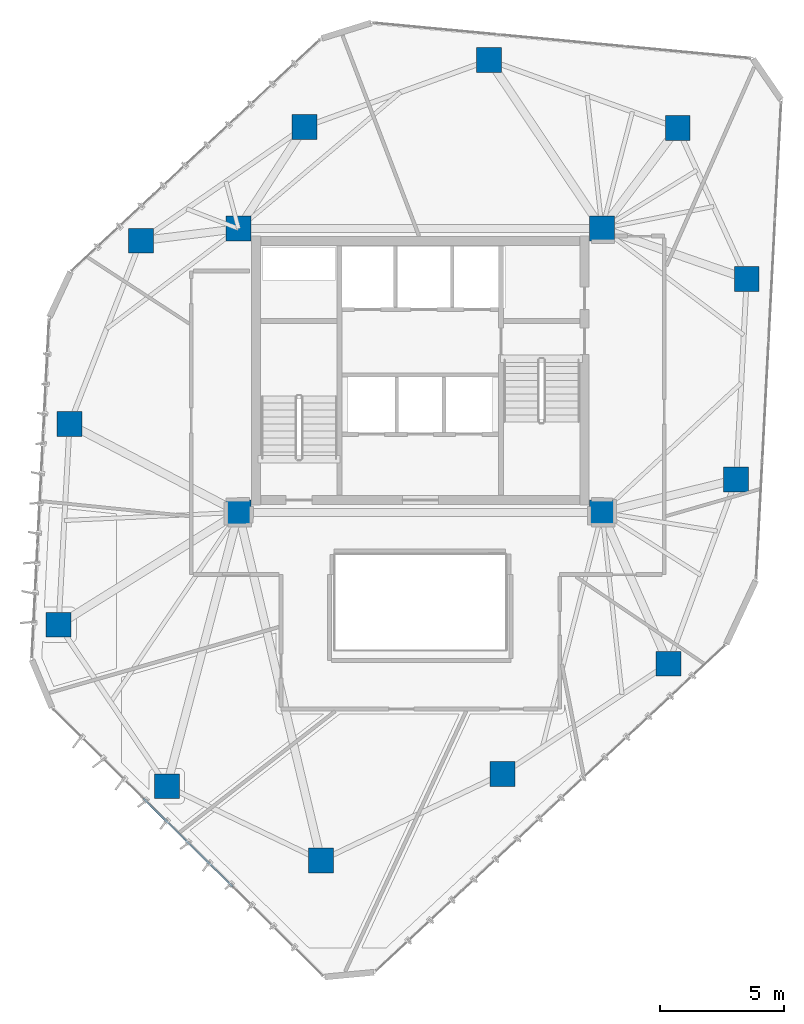
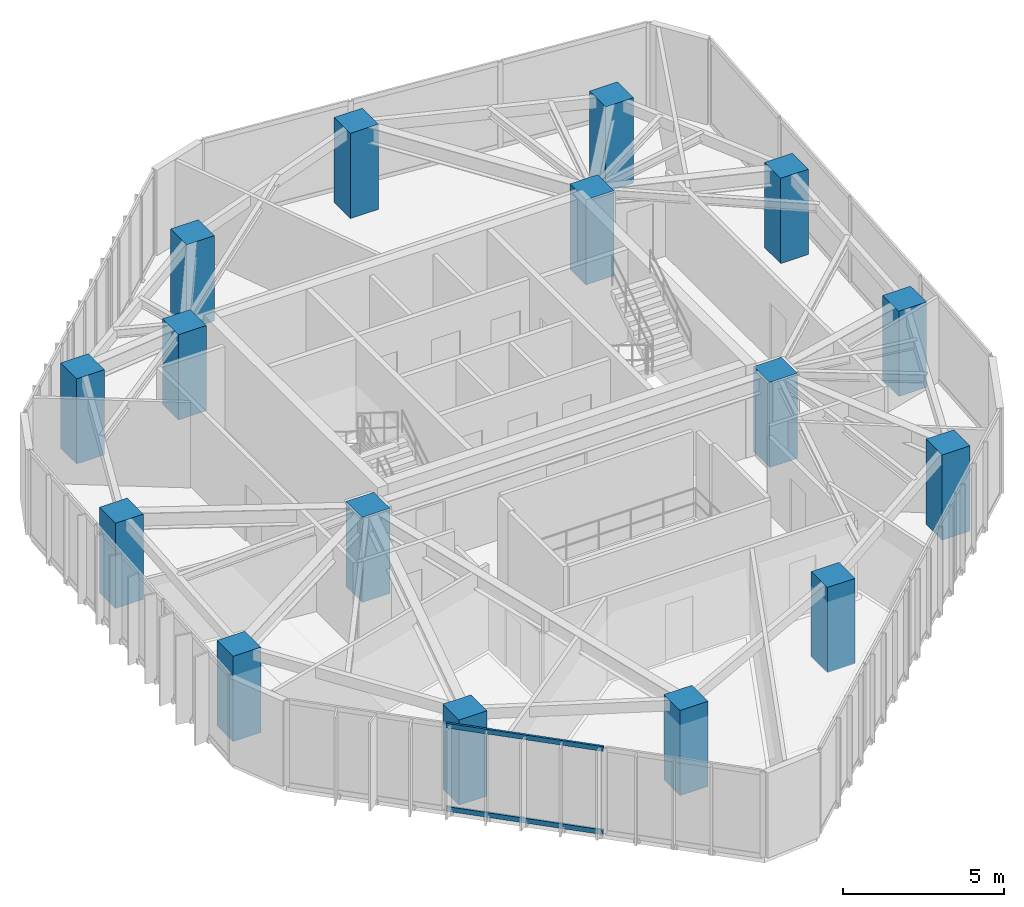
# One storey, part 1 of 19: 16 columns, 2 members, 1 element without a shape of its own.
"""IFC4 building model written with IfcOpenShell, lengths in metres."""

from ifc_helpers import new_model, si_unit, direction, frame, origin, origin_2d, place, context, subcontext, project, spatial, rectangle, hollow_rectangle, extrude, source, transform, mapped, material, layer, layer_set, material_profile, profile_set, type_object, type_shapes, element, aggregate, save


model = new_model("IFC4")

# Units and contexts
model_context = context("Model", 3, precision=1e-05, world=origin(), true_north=direction((0.0, 1.0)))
body_context = subcontext(model_context, "Body", "Model", "MODEL_VIEW")
ifc_project = project(units=[si_unit("LENGTHUNIT", "METRE"), si_unit("AREAUNIT", "SQUARE_METRE"), si_unit("VOLUMEUNIT", "CUBIC_METRE"), si_unit("PLANEANGLEUNIT", "RADIAN"), si_unit("MASSUNIT", "GRAM", prefix="KILO")], contexts=[model_context])

# Site, building, storey
site_placement = place(None, origin())
site = spatial("IfcSite", under=ifc_project, at=site_placement, CompositionType="ELEMENT")
building_placement = place(site_placement, origin())
building = spatial("IfcBuilding", under=site, at=building_placement, Name="Talar Marvaseh", CompositionType="ELEMENT")
storey_placement = place(building_placement, frame((0.0, 0.0, 218.699951171875)))
storey = spatial("IfcBuildingStorey", under=building, at=storey_placement, Name="L57", CompositionType="ELEMENT", Elevation=218.699951171875)

# Columns
ifc_material_1 = material(Name="Concrete C60/75", Category="concrete")
ifc_material_profile_1 = material_profile(ifc_material_1, rectangle(XDim=1.0, YDim=1.0, at=origin_2d()), Name="RC1000x1000")
ifc_profile_set_1 = profile_set([ifc_material_profile_1], Name="Concrete C60/75")
column_type = type_object("IfcColumnType", Name="Zone 3 Tube Column RC1000x1000", PredefinedType="COLUMN", material=ifc_profile_set_1)
for number, where, z_axis, x_axis, name in (
    (1, (28.76611328125, 43.66796875, 0.0), (0.0, 0.0, 1.0), (1.0, 0.0, 0.0), "L57 Zone 3 Tube Column RC1000x1000"),
    (2, (36.341064453125, 40.94189453125, 0.0), (0.0, 0.0, 1.0), (1.0, 0.0, 0.0), "L57 Zone 3 Tube Column RC1000x1000"),
    (3, (39.113037109375, 34.884033203125, 0.0), (0.0, 0.0, 1.0), (1.0, 0.0, 0.0), "L57 Zone 3 Tube Column RC1000x1000"),
    (4, (38.68896484375, 26.823974609375, 0.0), (0.0, 0.0, 1.0), (1.0, 0.0, 0.0), "L57 Zone 3 Tube Column RC1000x1000"),
    (5, (35.970947265625, 19.423095703125, 0.0), (0.0, 0.0, 1.0), (1.0, 0.0, 0.0), "L57 Zone 3 Tube Column RC1000x1000"),
    (6, (29.299072265625, 14.993896484375, 0.0), (0.0, 0.0, 1.0), (1.0, 0.0, 0.0), "L57 Zone 3 Tube Column RC1000x1000"),
    (7, (22.014892578125, 11.51904296875, 0.0), (0.0, 0.0, 1.0), (1.0, 0.0, 0.0), "L57 Zone 3 Tube Column RC1000x1000"),
    (8, (15.819091796875, 14.5009765625, 0.0), (0.0, 0.0, 1.0), (1.0, 0.0, 0.0), "L57 Zone 3 Tube Column RC1000x1000"),
    (9, (11.471923828125, 20.986083984375, 0.0), (0.0, 0.0, 1.0), (1.0, 0.0, 0.0), "L57 Zone 3 Tube Column RC1000x1000"),
    (10, (11.908935546875, 29.044921875, 0.0), (0.0, 0.0, 1.0), (1.0, 0.0, 0.0), "L57 Zone 3 Tube Column RC1000x1000"),
    (11, (14.77294921875, 36.416015625, 0.0), (0.0, 0.0, 1.0), (1.0, 0.0, 0.0), "L57 Zone 3 Tube Column RC1000x1000"),
    (12, (21.35205078125, 40.986083984375, 0.0), (0.0, 0.0, 1.0), (1.0, 0.0, 0.0), "L57 Zone 3 Tube Column RC1000x1000"),
    (13, (18.699951171875, 25.5, 0.0), (0.0, 0.0, 1.0), (1.0, 0.0, 0.0), "L57 Zone 3 Tube Column RC1000x1000"),
    (14, (33.300048828125, 25.5, 0.0), (0.0, 0.0, 1.0), (1.0, 0.0, 0.0), "L57 Zone 3 Tube Column RC1000x1000"),
    (15, (33.300048828125, 36.89990234375, 0.0), (0.0, 0.0, 1.0), (1.0, 0.0, 0.0), "L57 Zone 3 Tube Column RC1000x1000"),
    (16, (18.699951171875, 36.89990234375, 0.0), (0.0, 0.0, 1.0), (1.0, 0.0, 0.0), "L57 Zone 3 Tube Column RC1000x1000"),
):
    element("IfcColumn", number, at=place(storey_placement, frame(where, z_axis=z_axis, x_axis=x_axis)), inside=storey, type_object=column_type, Name=name, PredefinedType="COLUMN", context=body_context, shape_type="SweptSolid", body=[
        extrude(rectangle(XDim=1.0, YDim=1.0, at=origin_2d()), origin(), (0.0, 0.0, 1.0), 3.22998046875),
    ])

# Curtain wall, members
ifc_material_2 = material(Name="Architectural Aluminium", Category="aluminium")
ifc_layer = layer(ifc_material_2, 0.18994140625)
ifc_layer_set = layer_set([ifc_layer], Name="Architectural Aluminium")
curtain_wall_type = type_object("IfcCurtainWallType", Name="Unitised Solar Atelier Curtain Wall Z3", PredefinedType="NOTDEFINED", material=ifc_layer_set)
curtain_wall_placement = place(storey_placement, origin())
curtain_wall = element("IfcCurtainWall", 17, at=curtain_wall_placement, inside=storey, type_object=curtain_wall_type, Name="L57 Unitised Solar Atelier Curtain Wall Z3", PredefinedType="NOTDEFINED")
ifc_material_profile_2 = material_profile(ifc_material_2, hollow_rectangle(XDim=0.074951171875, YDim=0.179931640625, WallThickness=0.0048828125, at=origin_2d()), Name="RHS180x75x5")
ifc_profile_set_2 = profile_set([ifc_material_profile_2], Name="Architectural Aluminium")
member_type = type_object("IfcMemberType", Name="Unitised Curtain Wall Transom RHS180x75x5", PredefinedType="USERDEFINED", material=ifc_profile_set_2)
shared_shape = source(origin(), body_context, "Body", "SweptSolid", [
    extrude(hollow_rectangle(XDim=0.074951171875, YDim=0.179931640625, WallThickness=0.0048828125, at=origin_2d()), origin(), (0.0, 0.0, 1.0), 5.0380859375),
])
type_shapes(member_type, [shared_shape])
member_1_placement = place(storey_placement, frame((18.45947265625, 10.473388671875, 0.03759765625), z_axis=(-0.711382423049, 0.702805128166, 0.0), x_axis=(-0.702805128166, -0.711382423049, 0.0)))
member_1 = element("IfcMember", 18, at=member_1_placement, type_object=member_type, Name="CW-Z3 transom 2.1", ObjectType="TRANSOM", PredefinedType="USERDEFINED", context=body_context, shape_type="MappedRepresentation", body=[
    mapped(shared_shape, transform((0.0, 0.0, 0.0), x_axis=(1.0, 0.0, 0.0), y_axis=(0.0, 1.0, 0.0), z_axis=(0.0, 0.0, 1.0), scale=1.0)),
])
member_2_placement = place(storey_placement, frame((18.45947265625, 10.473388671875, 3.192626953125), z_axis=(-0.711382423049, 0.702805128166, 0.0), x_axis=(-0.702805128166, -0.711382423049, 0.0)))
member_2 = element("IfcMember", 19, at=member_2_placement, type_object=member_type, Name="CW-Z3 transom 2.2", ObjectType="TRANSOM", PredefinedType="USERDEFINED", context=body_context, shape_type="MappedRepresentation", body=[
    mapped(shared_shape, transform((0.0, 0.0, 0.0), x_axis=(1.0, 0.0, 0.0), y_axis=(0.0, 1.0, 0.0), z_axis=(0.0, 0.0, 1.0), scale=1.0)),
])
aggregate(curtain_wall, [member_1, member_2])

save(model, "model.ifc")
